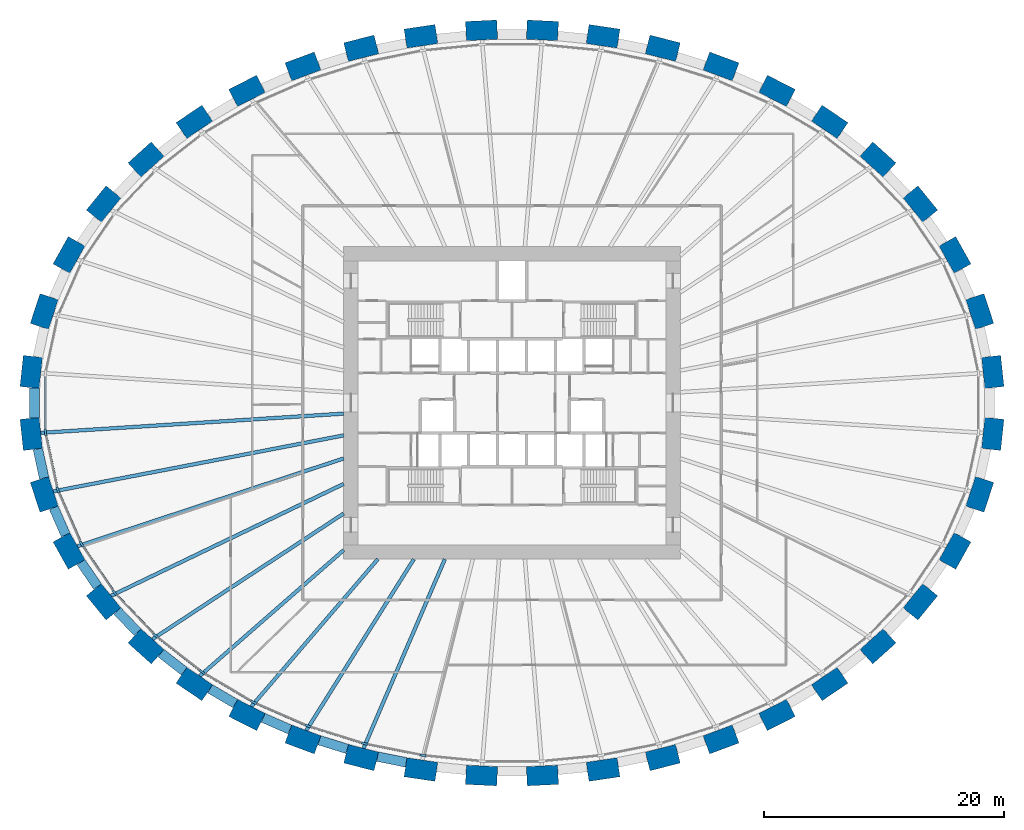
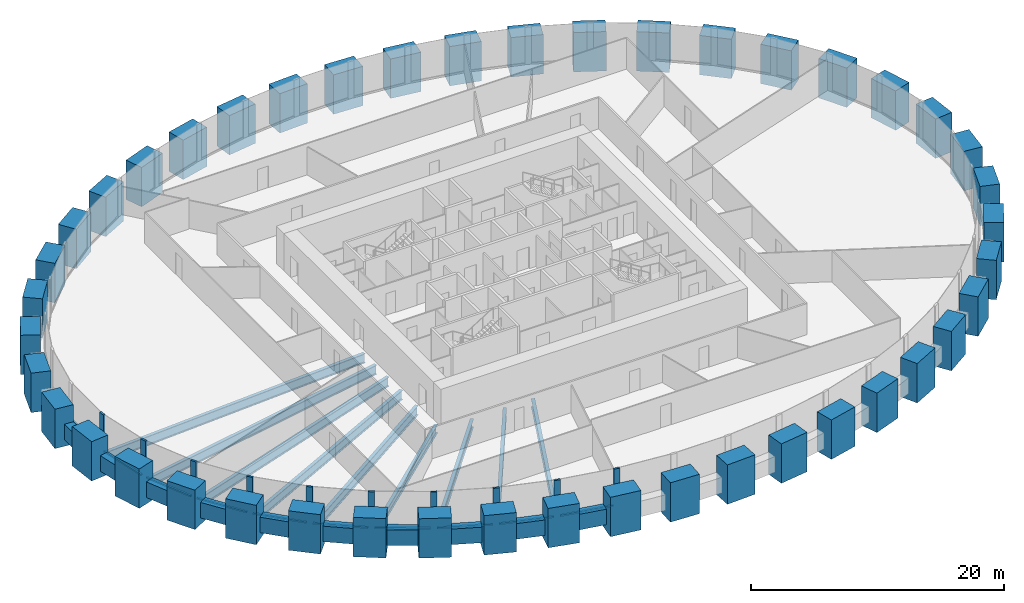
# One storey, part 1 of 11: 44 columns, 20 members, 19 beams, 1 element without a shape of its own.
"""IFC4 building model written with IfcOpenShell, lengths in metres."""

from ifc_helpers import new_model, si_unit, direction, frame, origin, origin_2d, place, context, subcontext, project, spatial, rectangle, i_section, extrude, source, transform, mapped, material, material_profile, profile_set, type_object, element, aggregate, save


model = new_model("IFC4")

# Units and contexts
model_context = context("Model", 3, precision=1e-05, world=origin(), true_north=direction((0.0, 1.0)))
body_context = subcontext(model_context, "Body", "Model", "MODEL_VIEW")
ifc_project = project(units=[si_unit("LENGTHUNIT", "METRE"), si_unit("AREAUNIT", "SQUARE_METRE"), si_unit("VOLUMEUNIT", "CUBIC_METRE"), si_unit("PLANEANGLEUNIT", "RADIAN"), si_unit("MASSUNIT", "GRAM", prefix="KILO")], contexts=[model_context])

# Site, building, storey
site_placement = place(None, origin())
site = spatial("IfcSite", under=ifc_project, at=site_placement, CompositionType="ELEMENT")
building_placement = place(site_placement, origin())
building = spatial("IfcBuilding", under=site, at=building_placement, Name="Embergate Tower", CompositionType="ELEMENT")
storey_placement = place(building_placement, frame((0.0, 0.0, 49.699951171875)))
storey = spatial("IfcBuildingStorey", under=building, at=storey_placement, Name="L08", CompositionType="ELEMENT", Elevation=49.699951171875)

# Columns
ifc_material_1 = material(Name="Concrete C70", Category="concrete")
ifc_material_profile_1 = material_profile(ifc_material_1, rectangle(XDim=1.60009765625, YDim=2.60009765625, at=origin_2d()), Name="RC 1600x2600")
ifc_profile_set_1 = profile_set([ifc_material_profile_1], Name="Concrete C70")
column_type = type_object("IfcColumnType", Name="Ring column RC 1600x2600 C70", PredefinedType="COLUMN", material=ifc_profile_set_1)
shared_shape_1 = source(origin(), body_context, "Body", "SweptSolid", [
    extrude(rectangle(XDim=1.60009765625, YDim=2.60009765625, at=origin_2d()), origin(), (0.0, 0.0, 1.0), 3.800048828125),
])
for number, where, z_axis, x_axis, name in (
    (1, (39.9951171875, 2.575927734375, -1.39990234375), (0.0, 0.0, 1.0), (0.99428589498, 0.106749983816, 0.0), "COL-L08-00"),
    (2, (38.912109375, 7.60693359375, -1.39990234375), (0.0, 0.0, 1.0), (0.950754033697, 0.309946394413, 0.0), "COL-L08-01"),
    (3, (36.85009765625, 12.31103515625, -1.39990234375), (0.0, 0.0, 1.0), (0.873491969053, 0.486838556403, 0.0), "COL-L08-02"),
    (4, (33.968994140625, 16.548095703125, -1.39990234375), (0.0, 0.0, 1.0), (0.775914301615, 0.630838328377, 0.0), "COL-L08-03"),
    (5, (30.444091796875, 20.2451171875, -1.39990234375), (0.0, 0.0, 1.0), (0.669208424634, 0.74307475021, 0.0), "COL-L08-04"),
    (6, (26.426025390625, 23.381103515625, -1.39990234375), (0.0, 0.0, 1.0), (0.560393279442, 0.828226643109, 0.0), "COL-L08-05"),
    (7, (22.0419921875, 25.958984375, -1.39990234375), (0.0, 0.0, 1.0), (0.452994952881, 0.891513080478, 0.0), "COL-L08-06"),
    (8, (17.388916015625, 27.992919921875, -1.39990234375), (0.0, 0.0, 1.0), (0.348343015724, 0.93736713373, 0.0), "COL-L08-07"),
    (9, (12.544921875, 29.501953125, -1.39990234375), (0.0, 0.0, 1.0), (0.246491603437, 0.969144926951, 0.0), "COL-L08-08"),
    (10, (7.574951171875, 30.498046875, -1.39990234375), (0.0, 0.0, 1.0), (0.146929011949, 0.989147039346, 0.0), "COL-L08-09"),
    (11, (2.532958984375, 30.993896484375, -1.39990234375), (0.0, 0.0, 1.0), (0.048814904854, 0.998807841912, 0.0), "COL-L08-10"),
    (12, (-2.532958984375, 30.993896484375, -1.39990234375), (0.0, 0.0, 1.0), (-0.048814904854, 0.998807841912, 0.0), "COL-L08-11"),
    (13, (-7.574951171875, 30.498046875, -1.39990234375), (0.0, 0.0, 1.0), (-0.146929011949, 0.989147039346, 0.0), "COL-L08-12"),
    (14, (-12.544921875, 29.501953125, -1.39990234375), (0.0, 0.0, 1.0), (-0.246491603437, 0.969144926951, 0.0), "COL-L08-13"),
    (15, (-17.388916015625, 27.992919921875, -1.39990234375), (0.0, 0.0, 1.0), (-0.348343015724, 0.93736713373, 0.0), "COL-L08-14"),
    (16, (-22.0419921875, 25.958984375, -1.39990234375), (0.0, 0.0, 1.0), (-0.452994952881, 0.891513080478, 0.0), "COL-L08-15"),
    (17, (-26.426025390625, 23.381103515625, -1.39990234375), (0.0, 0.0, 1.0), (-0.560393279442, 0.828226643109, 0.0), "COL-L08-16"),
    (18, (-30.444091796875, 20.2451171875, -1.39990234375), (0.0, 0.0, 1.0), (-0.669208424634, 0.74307475021, 0.0), "COL-L08-17"),
    (19, (-33.968994140625, 16.548095703125, -1.39990234375), (0.0, 0.0, 1.0), (-0.775914301615, 0.630838328377, 0.0), "COL-L08-18"),
    (20, (-36.85009765625, 12.31103515625, -1.39990234375), (0.0, 0.0, 1.0), (-0.873491969053, 0.486838556403, 0.0), "COL-L08-19"),
    (21, (-38.912109375, 7.60693359375, -1.39990234375), (0.0, 0.0, 1.0), (-0.950754033697, 0.309946394413, 0.0), "COL-L08-20"),
    (22, (-39.9951171875, 2.575927734375, -1.39990234375), (0.0, 0.0, 1.0), (-0.99428589498, 0.106749983816, 0.0), "COL-L08-21"),
    (23, (-39.9951171875, -2.575927734375, -1.39990234375), (0.0, 0.0, 1.0), (-0.99428589498, -0.106749983816, 0.0), "COL-L08-22"),
    (24, (-38.912109375, -7.60693359375, -1.39990234375), (0.0, 0.0, 1.0), (-0.950754033697, -0.309946394413, 0.0), "COL-L08-23"),
    (25, (-36.85009765625, -12.31103515625, -1.39990234375), (0.0, 0.0, 1.0), (-0.873491969053, -0.486838556403, 0.0), "COL-L08-24"),
    (26, (-33.968994140625, -16.548095703125, -1.39990234375), (0.0, 0.0, 1.0), (-0.775914301615, -0.630838328377, 0.0), "COL-L08-25"),
    (27, (-30.444091796875, -20.2451171875, -1.39990234375), (0.0, 0.0, 1.0), (-0.669208424634, -0.74307475021, 0.0), "COL-L08-26"),
    (28, (-26.426025390625, -23.381103515625, -1.39990234375), (0.0, 0.0, 1.0), (-0.560393279442, -0.828226643109, 0.0), "COL-L08-27"),
    (29, (-22.0419921875, -25.958984375, -1.39990234375), (0.0, 0.0, 1.0), (-0.452994952881, -0.891513080478, 0.0), "COL-L08-28"),
    (30, (-17.388916015625, -27.992919921875, -1.39990234375), (0.0, 0.0, 1.0), (-0.348343015724, -0.93736713373, 0.0), "COL-L08-29"),
    (31, (-12.544921875, -29.501953125, -1.39990234375), (0.0, 0.0, 1.0), (-0.246491603437, -0.969144926951, 0.0), "COL-L08-30"),
    (32, (-7.574951171875, -30.498046875, -1.39990234375), (0.0, 0.0, 1.0), (-0.146929011949, -0.989147039346, 0.0), "COL-L08-31"),
    (33, (-2.532958984375, -30.993896484375, -1.39990234375), (0.0, 0.0, 1.0), (-0.048814904854, -0.998807841912, 0.0), "COL-L08-32"),
    (34, (2.532958984375, -30.993896484375, -1.39990234375), (0.0, 0.0, 1.0), (0.048814904854, -0.998807841912, 0.0), "COL-L08-33"),
    (35, (7.574951171875, -30.498046875, -1.39990234375), (0.0, 0.0, 1.0), (0.146929011949, -0.989147039346, 0.0), "COL-L08-34"),
    (36, (12.544921875, -29.501953125, -1.39990234375), (0.0, 0.0, 1.0), (0.246491603437, -0.969144926951, 0.0), "COL-L08-35"),
    (37, (17.388916015625, -27.992919921875, -1.39990234375), (0.0, 0.0, 1.0), (0.348343015724, -0.93736713373, 0.0), "COL-L08-36"),
    (38, (22.0419921875, -25.958984375, -1.39990234375), (0.0, 0.0, 1.0), (0.452994952881, -0.891513080478, 0.0), "COL-L08-37"),
    (39, (26.426025390625, -23.381103515625, -1.39990234375), (0.0, 0.0, 1.0), (0.560393279442, -0.828226643109, 0.0), "COL-L08-38"),
    (40, (30.444091796875, -20.2451171875, -1.39990234375), (0.0, 0.0, 1.0), (0.669208424634, -0.74307475021, 0.0), "COL-L08-39"),
    (41, (33.968994140625, -16.548095703125, -1.39990234375), (0.0, 0.0, 1.0), (0.775914301615, -0.630838328377, 0.0), "COL-L08-40"),
    (42, (36.85009765625, -12.31103515625, -1.39990234375), (0.0, 0.0, 1.0), (0.873491969053, -0.486838556403, 0.0), "COL-L08-41"),
    (43, (38.912109375, -7.60693359375, -1.39990234375), (0.0, 0.0, 1.0), (0.950754033697, -0.309946394413, 0.0), "COL-L08-42"),
    (44, (39.9951171875, -2.575927734375, -1.39990234375), (0.0, 0.0, 1.0), (0.99428589498, -0.106749983816, 0.0), "COL-L08-43"),
):
    element("IfcColumn", number, at=place(storey_placement, frame(where, z_axis=z_axis, x_axis=x_axis)), inside=storey, type_object=column_type, Name=name, PredefinedType="COLUMN", context=body_context, shape_type="MappedRepresentation", body=[
        mapped(shared_shape_1, transform((0.0, 0.0, 0.0))),
    ])

# Beams
ifc_material_profile_2 = material_profile(ifc_material_1, rectangle(XDim=0.800048828125, YDim=1.5, at=origin_2d()), Name="RC 800x1500")
ifc_profile_set_2 = profile_set([ifc_material_profile_2], Name="Concrete C70")
beam_type_1 = type_object("IfcBeamType", Name="Spandrel beam RC 800x1500 C70", PredefinedType="BEAM", material=ifc_profile_set_2)
shared_shape_2 = source(origin(), body_context, "Body", "SweptSolid", [
    extrude(rectangle(XDim=0.800048828125, YDim=1.5, at=origin_2d()), origin(), (0.0, 0.0, 1.0), 2.431396484375),
])
beam_1_placement = place(storey_placement, frame((-11.18505859375, -29.428955078125, 0.0), z_axis=(0.980484010726, -0.196598842089, 0.0), x_axis=(0.196598842089, 0.980484010726, 0.0)))
element("IfcBeam", 45, at=beam_1_placement, inside=storey, type_object=beam_type_1, Name="SPN-L08-30", PredefinedType="BEAM", context=body_context, shape_type="MappedRepresentation", body=[
    mapped(shared_shape_2, transform((0.0, 0.0, 0.0))),
])
shared_shape_3 = source(origin(), body_context, "Body", "SweptSolid", [
    extrude(rectangle(XDim=0.800048828125, YDim=1.5, at=origin_2d()), origin(), (0.0, 0.0, 1.0), 2.43408203125),
])
beam_2_placement = place(storey_placement, frame((-16.028076171875, -28.06201171875, 0.0), z_axis=(0.954756195808, -0.297389654436, 0.0), x_axis=(0.297389654436, 0.954756195808, 0.0)))
element("IfcBeam", 46, at=beam_2_placement, inside=storey, type_object=beam_type_1, Name="SPN-L08-29", PredefinedType="BEAM", context=body_context, shape_type="MappedRepresentation", body=[
    mapped(shared_shape_3, transform((0.0, 0.0, 0.0))),
])
shared_shape_4 = source(origin(), body_context, "Body", "SweptSolid", [
    extrude(rectangle(XDim=0.800048828125, YDim=1.5, at=origin_2d()), origin(), (0.0, 0.0, 1.0), 2.47412109375),
])
beam_3_placement = place(storey_placement, frame((-39.444091796875, -3.823974609375, 0.0), z_axis=(0.210175960292, -0.977663574915, 0.0), x_axis=(0.977663574915, 0.210175960292, 0.0)))
element("IfcBeam", 47, at=beam_3_placement, inside=storey, type_object=beam_type_1, Name="SPN-L08-22", PredefinedType="BEAM", context=body_context, shape_type="MappedRepresentation", body=[
    mapped(shared_shape_4, transform((0.0, 0.0, 0.0))),
])
shared_shape_5 = source(origin(), body_context, "Body", "SweptSolid", [
    extrude(rectangle(XDim=0.800048828125, YDim=1.5, at=origin_2d()), origin(), (0.0, 0.0, 1.0), 2.470703125),
])
beam_4_placement = place(storey_placement, frame((-38.1240234375, -8.717041015625, 0.0), z_axis=(0.401466670854, -0.915873633311, 0.0), x_axis=(0.915873633311, 0.401466670854, 0.0)))
element("IfcBeam", 48, at=beam_4_placement, inside=storey, type_object=beam_type_1, Name="SPN-L08-23", PredefinedType="BEAM", context=body_context, shape_type="MappedRepresentation", body=[
    mapped(shared_shape_5, transform((0.0, 0.0, 0.0))),
])
shared_shape_6 = source(origin(), body_context, "Body", "SweptSolid", [
    extrude(rectangle(XDim=0.800048828125, YDim=1.5, at=origin_2d()), origin(), (0.0, 0.0, 1.0), 2.46240234375),
])
beam_5_placement = place(storey_placement, frame((-35.85595703125, -13.2451171875, 0.0), z_axis=(0.562478152622, -0.826812147844, 0.0), x_axis=(0.826812147844, 0.562478152622, 0.0)))
element("IfcBeam", 49, at=beam_5_placement, inside=storey, type_object=beam_type_1, Name="SPN-L08-24", PredefinedType="BEAM", context=body_context, shape_type="MappedRepresentation", body=[
    mapped(shared_shape_6, transform((0.0, 0.0, 0.0))),
])
shared_shape_7 = source(origin(), body_context, "Body", "SweptSolid", [
    extrude(rectangle(XDim=0.800048828125, YDim=1.5, at=origin_2d()), origin(), (0.0, 0.0, 1.0), 2.454345703125),
])
beam_6_placement = place(storey_placement, frame((-32.837890625, -17.303955078125, 0.0), z_axis=(0.690146821467, -0.723669375349, 0.0), x_axis=(0.723669375349, 0.690146821467, 0.0)))
element("IfcBeam", 50, at=beam_6_placement, inside=storey, type_object=beam_type_1, Name="SPN-L08-25", PredefinedType="BEAM", context=body_context, shape_type="MappedRepresentation", body=[
    mapped(shared_shape_7, transform((0.0, 0.0, 0.0))),
])
shared_shape_8 = source(origin(), body_context, "Body", "SweptSolid", [
    extrude(rectangle(XDim=0.800048828125, YDim=1.5, at=origin_2d()), origin(), (0.0, 0.0, 1.0), 2.446533203125),
])
beam_7_placement = place(storey_placement, frame((-29.202880859375, -20.81005859375, 0.0), z_axis=(0.788443262058, -0.615107488587, 0.0), x_axis=(0.615107488587, 0.788443262058, 0.0)))
element("IfcBeam", 51, at=beam_7_placement, inside=storey, type_object=beam_type_1, Name="SPN-L08-26", PredefinedType="BEAM", context=body_context, shape_type="MappedRepresentation", body=[
    mapped(shared_shape_8, transform((0.0, 0.0, 0.0))),
])
shared_shape_9 = source(origin(), body_context, "Body", "SweptSolid", [
    extrude(rectangle(XDim=0.800048828125, YDim=1.5, at=origin_2d()), origin(), (0.0, 0.0, 1.0), 2.440673828125),
])
beam_8_placement = place(storey_placement, frame((-25.1240234375, -23.777099609375, 0.0), z_axis=(0.86208332714, -0.506766550857, 0.0), x_axis=(0.506766550857, 0.86208332714, 0.0)))
element("IfcBeam", 52, at=beam_8_placement, inside=storey, type_object=beam_type_1, Name="SPN-L08-27", PredefinedType="BEAM", context=body_context, shape_type="MappedRepresentation", body=[
    mapped(shared_shape_9, transform((0.0, 0.0, 0.0))),
])
shared_shape_10 = source(origin(), body_context, "Body", "SweptSolid", [
    extrude(rectangle(XDim=0.800048828125, YDim=1.5, at=origin_2d()), origin(), (0.0, 0.0, 1.0), 2.437255859375),
])
beam_9_placement = place(storey_placement, frame((-20.7041015625, -26.196044921875, 0.0), z_axis=(0.916297523331, -0.400498250604, 0.0), x_axis=(0.400498250604, 0.916297523331, 0.0)))
element("IfcBeam", 53, at=beam_9_placement, inside=storey, type_object=beam_type_1, Name="SPN-L08-28", PredefinedType="BEAM", context=body_context, shape_type="MappedRepresentation", body=[
    mapped(shared_shape_10, transform((0.0, 0.0, 0.0))),
])
shared_shape_11 = source(origin(), body_context, "Body", "SweptSolid", [
    extrude(rectangle(XDim=0.800048828125, YDim=1.5, at=origin_2d()), origin(), (0.0, 0.0, 1.0), 2.47802734375),
])
beam_10_placement = place(storey_placement, frame((-39.719970703125, 1.239013671875, 0.0), z_axis=(0.0, -1.0, 0.0), x_axis=(1.0, 0.0, 0.0)))
element("IfcBeam", 54, at=beam_10_placement, inside=storey, type_object=beam_type_1, Name="SPN-L08-21", PredefinedType="BEAM", context=body_context, shape_type="MappedRepresentation", body=[
    mapped(shared_shape_11, transform((0.0, 0.0, 0.0))),
])
ifc_material_2 = material(Name="Steel Q355B", Category="steel")
ifc_material_profile_3 = material_profile(ifc_material_2, i_section(OverallWidth=0.300048828125, OverallDepth=0.89990234375, WebThickness=0.01611328125, FlangeThickness=0.028076171875, FilletRadius=0.028076171875, at=origin_2d()), Name="HN 900x300x16x28")
ifc_profile_set_3 = profile_set([ifc_material_profile_3], Name="Steel Q355 grade B")
beam_type_2 = type_object("IfcBeamType", Name="Radial girder HN 900x300x16x28", PredefinedType="BEAM", material=ifc_profile_set_3)
shared_shape_12 = source(origin(), body_context, "Body", "SweptSolid", [
    extrude(i_section(OverallWidth=0.300048828125, OverallDepth=0.89990234375, WebThickness=0.01611328125, FlangeThickness=0.028076171875, FilletRadius=0.028076171875, at=origin_2d()), origin(), (0.0, 0.0, 1.0), 25.250732421875),
])
beam_11_placement = place(storey_placement, frame((-39.199951171875, -2.490966796875, -0.64990234375), z_axis=(0.997987753724, 0.063406966633, 0.0), x_axis=(-0.063406966633, 0.997987753724, 0.0)))
element("IfcBeam", 55, at=beam_11_placement, inside=storey, type_object=beam_type_2, Name="GIR-L08-22", PredefinedType="BEAM", context=body_context, shape_type="MappedRepresentation", body=[
    mapped(shared_shape_12, transform((0.0, 0.0, 0.0))),
])
shared_shape_13 = source(origin(), body_context, "Body", "SweptSolid", [
    extrude(i_section(OverallWidth=0.300048828125, OverallDepth=0.89990234375, WebThickness=0.01611328125, FlangeThickness=0.028076171875, FilletRadius=0.028076171875, at=origin_2d()), origin(), (0.0, 0.0, 1.0), 24.59619140625),
])
beam_12_placement = place(storey_placement, frame((-38.15087890625, -7.35888671875, -0.64990234375), z_axis=(0.981896685323, 0.18941726255, 0.0), x_axis=(-0.18941726255, 0.981896685323, 0.0)))
element("IfcBeam", 56, at=beam_12_placement, inside=storey, type_object=beam_type_2, Name="GIR-L08-23", PredefinedType="BEAM", context=body_context, shape_type="MappedRepresentation", body=[
    mapped(shared_shape_13, transform((0.0, 0.0, 0.0))),
])
shared_shape_14 = source(origin(), body_context, "Body", "SweptSolid", [
    extrude(i_section(OverallWidth=0.300048828125, OverallDepth=0.89990234375, WebThickness=0.01611328125, FlangeThickness=0.028076171875, FilletRadius=0.028076171875, at=origin_2d()), origin(), (0.0, 0.0, 1.0), 23.324462890625),
])
beam_13_placement = place(storey_placement, frame((-36.15087890625, -11.922119140625, -0.64990234375), z_axis=(0.949687504939, 0.313199046873, 0.0), x_axis=(-0.313199046873, 0.949687504939, 0.0)))
element("IfcBeam", 57, at=beam_13_placement, inside=storey, type_object=beam_type_2, Name="GIR-L08-24", PredefinedType="BEAM", context=body_context, shape_type="MappedRepresentation", body=[
    mapped(shared_shape_14, transform((0.0, 0.0, 0.0))),
])
shared_shape_15 = source(origin(), body_context, "Body", "SweptSolid", [
    extrude(i_section(OverallWidth=0.300048828125, OverallDepth=0.89990234375, WebThickness=0.01611328125, FlangeThickness=0.028076171875, FilletRadius=0.028076171875, at=origin_2d()), origin(), (0.0, 0.0, 1.0), 21.470458984375),
])
beam_14_placement = place(storey_placement, frame((-33.347900390625, -16.04296875, -0.64990234375), z_axis=(0.901143518966, 0.43352088557, 0.0), x_axis=(-0.43352088557, 0.901143518966, 0.0)))
element("IfcBeam", 58, at=beam_14_placement, inside=storey, type_object=beam_type_2, Name="GIR-L08-25", PredefinedType="BEAM", context=body_context, shape_type="MappedRepresentation", body=[
    mapped(shared_shape_15, transform((0.0, 0.0, 0.0))),
])
shared_shape_16 = source(origin(), body_context, "Body", "SweptSolid", [
    extrude(i_section(OverallWidth=0.300048828125, OverallDepth=0.89990234375, WebThickness=0.01611328125, FlangeThickness=0.028076171875, FilletRadius=0.028076171875, at=origin_2d()), origin(), (0.0, 0.0, 1.0), 19.03564453125),
])
beam_15_placement = place(storey_placement, frame((-29.908935546875, -19.65087890625, -0.64990234375), z_axis=(0.835743149678, 0.549120558499, 0.0), x_axis=(-0.549120558499, 0.835743149678, 0.0)))
element("IfcBeam", 59, at=beam_15_placement, inside=storey, type_object=beam_type_2, Name="GIR-L08-26", PredefinedType="BEAM", context=body_context, shape_type="MappedRepresentation", body=[
    mapped(shared_shape_16, transform((0.0, 0.0, 0.0))),
])
ifc_material_profile_4 = material_profile(ifc_material_2, i_section(OverallWidth=0.300048828125, OverallDepth=0.800048828125, WebThickness=0.013916015625, FlangeThickness=0.02587890625, FilletRadius=0.028076171875, at=origin_2d()), Name="HN 800x300x14x26")
ifc_profile_set_4 = profile_set([ifc_material_profile_4], Name="Steel Q355 grade B")
beam_type_3 = type_object("IfcBeamType", Name="Radial girder HN 800x300x14x26", PredefinedType="BEAM", material=ifc_profile_set_4)
shared_shape_17 = source(origin(), body_context, "Body", "SweptSolid", [
    extrude(i_section(OverallWidth=0.300048828125, OverallDepth=0.800048828125, WebThickness=0.013916015625, FlangeThickness=0.02587890625, FilletRadius=0.028076171875, at=origin_2d()), origin(), (0.0, 0.0, 1.0), 15.91162109375),
])
beam_16_placement = place(storey_placement, frame((-25.97802734375, -22.718017578125, -0.599853515625), z_axis=(0.752783862885, 0.658267769057, 0.0), x_axis=(-0.658267769057, 0.752783862885, 0.0)))
element("IfcBeam", 60, at=beam_16_placement, inside=storey, type_object=beam_type_3, Name="GIR-L08-27", PredefinedType="BEAM", context=body_context, shape_type="MappedRepresentation", body=[
    mapped(shared_shape_17, transform((0.0, 0.0, 0.0))),
])
shared_shape_18 = source(origin(), body_context, "Body", "SweptSolid", [
    extrude(i_section(OverallWidth=0.300048828125, OverallDepth=0.800048828125, WebThickness=0.013916015625, FlangeThickness=0.02587890625, FilletRadius=0.028076171875, at=origin_2d()), origin(), (0.0, 0.0, 1.0), 16.1416015625),
])
beam_17_placement = place(storey_placement, frame((-21.679931640625, -25.24609375, -0.599853515625), z_axis=(0.651477424903, 0.758668020178, 0.0), x_axis=(-0.758668020178, 0.651477424903, 0.0)))
element("IfcBeam", 61, at=beam_17_placement, inside=storey, type_object=beam_type_3, Name="GIR-L08-28", PredefinedType="BEAM", context=body_context, shape_type="MappedRepresentation", body=[
    mapped(shared_shape_18, transform((0.0, 0.0, 0.0))),
])
shared_shape_19 = source(origin(), body_context, "Body", "SweptSolid", [
    extrude(i_section(OverallWidth=0.300048828125, OverallDepth=0.800048828125, WebThickness=0.013916015625, FlangeThickness=0.02587890625, FilletRadius=0.028076171875, at=origin_2d()), origin(), (0.0, 0.0, 1.0), 16.81884765625),
])
beam_18_placement = place(storey_placement, frame((-17.110107421875, -27.242919921875, -0.599853515625), z_axis=(0.531846576707, 0.846840728145, 0.0), x_axis=(-0.846840728145, 0.531846576707, 0.0)))
element("IfcBeam", 62, at=beam_18_placement, inside=storey, type_object=beam_type_3, Name="GIR-L08-29", PredefinedType="BEAM", context=body_context, shape_type="MappedRepresentation", body=[
    mapped(shared_shape_19, transform((0.0, 0.0, 0.0))),
])
shared_shape_20 = source(origin(), body_context, "Body", "SweptSolid", [
    extrude(i_section(OverallWidth=0.300048828125, OverallDepth=0.800048828125, WebThickness=0.013916015625, FlangeThickness=0.02587890625, FilletRadius=0.028076171875, at=origin_2d()), origin(), (0.0, 0.0, 1.0), 17.118408203125),
])
beam_19_placement = place(storey_placement, frame((-12.347900390625, -28.72705078125, -0.599853515625), z_axis=(0.39489847585, 0.918724764971, 0.0), x_axis=(-0.918724764971, 0.39489847585, 0.0)))
element("IfcBeam", 63, at=beam_19_placement, inside=storey, type_object=beam_type_3, Name="GIR-L08-30", PredefinedType="BEAM", context=body_context, shape_type="MappedRepresentation", body=[
    mapped(shared_shape_20, transform((0.0, 0.0, 0.0))),
])

# Curtain wall, members
ifc_material_3 = material(Name="Aluminium and glass", Category="aluminium")
curtain_wall_type = type_object("IfcCurtainWallType", Name="Recessed office glazing", PredefinedType="NOTDEFINED", material=ifc_material_3)
curtain_wall_placement = place(storey_placement, origin())
curtain_wall = element("IfcCurtainWall", 64, at=curtain_wall_placement, inside=storey, type_object=curtain_wall_type, Name="Recessed office glazing ring", ObjectType="RECESSED OFFICE GLAZING", PredefinedType="USERDEFINED")
ifc_material_4 = material(Name="Aluminium, thermally broken", Category="aluminium")
ifc_material_profile_5 = material_profile(ifc_material_4, rectangle(XDim=0.179931640625, YDim=0.14990234375, at=origin_2d()), Name="AL 150x180")
ifc_profile_set_5 = profile_set([ifc_material_profile_5], Name="Aluminium, thermally broken")
member_type_1 = type_object("IfcMemberType", Name="Office sill transom", PredefinedType="USERDEFINED", material=ifc_profile_set_5)
shared_shape_21 = source(origin(), body_context, "Body", "SweptSolid", [
    extrude(rectangle(XDim=0.179931640625, YDim=0.14990234375, at=origin_2d()), origin(), (0.0, 0.0, 1.0), 4.379638671875),
])
member_1_placement = place(storey_placement, frame((-38.757080078125, -2.70263671875, 0.074951171875), z_axis=(0.210374128921, -0.977620952047, 0.0), x_axis=(0.977620952047, 0.210374128921, 0.0)))
member_1 = element("IfcMember", 65, at=member_1_placement, type_object=member_type_1, Name="CW transom 23.1", ObjectType="TRANSOM", PredefinedType="USERDEFINED", context=body_context, shape_type="MappedRepresentation", body=[
    mapped(shared_shape_21, transform((0.0, 0.0, 0.0))),
])
shared_shape_22 = source(origin(), body_context, "Body", "SweptSolid", [
    extrude(rectangle(XDim=0.179931640625, YDim=0.14990234375, at=origin_2d()), origin(), (0.0, 0.0, 1.0), 4.38671875),
])
member_2_placement = place(storey_placement, frame((-37.676513671875, -7.4765625, 0.074951171875), z_axis=(0.401656581877, -0.915790363694, 0.0), x_axis=(0.915790363694, 0.401656581877, 0.0)))
member_2 = element("IfcMember", 66, at=member_2_placement, type_object=member_type_1, Name="CW transom 24.1", ObjectType="TRANSOM", PredefinedType="USERDEFINED", context=body_context, shape_type="MappedRepresentation", body=[
    mapped(shared_shape_22, transform((0.0, 0.0, 0.0))),
])
shared_shape_23 = source(origin(), body_context, "Body", "SweptSolid", [
    extrude(rectangle(XDim=0.179931640625, YDim=0.14990234375, at=origin_2d()), origin(), (0.0, 0.0, 1.0), 4.395751953125),
])
member_3_placement = place(storey_placement, frame((-35.663818359375, -11.947021484375, 0.074951171875), z_axis=(0.562354076768, -0.826896542708, 0.0), x_axis=(0.826896542708, 0.562354076768, 0.0)))
member_3 = element("IfcMember", 67, at=member_3_placement, type_object=member_type_1, Name="CW transom 25.1", ObjectType="TRANSOM", PredefinedType="USERDEFINED", context=body_context, shape_type="MappedRepresentation", body=[
    mapped(shared_shape_23, transform((0.0, 0.0, 0.0))),
])
shared_shape_24 = source(origin(), body_context, "Body", "SweptSolid", [
    extrude(rectangle(XDim=0.179931640625, YDim=0.14990234375, at=origin_2d()), origin(), (0.0, 0.0, 1.0), 4.404296875),
])
member_4_placement = place(storey_placement, frame((-32.866455078125, -15.985107421875, 0.074951171875), z_axis=(0.690139479121, -0.723676377504, 0.0), x_axis=(0.723676377504, 0.690139479121, 0.0)))
member_4 = element("IfcMember", 68, at=member_4_placement, type_object=member_type_1, Name="CW transom 26.1", ObjectType="TRANSOM", PredefinedType="USERDEFINED", context=body_context, shape_type="MappedRepresentation", body=[
    mapped(shared_shape_24, transform((0.0, 0.0, 0.0))),
])
shared_shape_25 = source(origin(), body_context, "Body", "SweptSolid", [
    extrude(rectangle(XDim=0.179931640625, YDim=0.14990234375, at=origin_2d()), origin(), (0.0, 0.0, 1.0), 4.412109375),
])
member_5_placement = place(storey_placement, frame((-29.4423828125, -19.5205078125, 0.074951171875), z_axis=(0.788311201142, -0.615276726485, 0.0), x_axis=(0.615276726485, 0.788311201142, 0.0)))
member_5 = element("IfcMember", 69, at=member_5_placement, type_object=member_type_1, Name="CW transom 27.1", ObjectType="TRANSOM", PredefinedType="USERDEFINED", context=body_context, shape_type="MappedRepresentation", body=[
    mapped(shared_shape_25, transform((0.0, 0.0, 0.0))),
])
shared_shape_26 = source(origin(), body_context, "Body", "SweptSolid", [
    extrude(rectangle(XDim=0.179931640625, YDim=0.14990234375, at=origin_2d()), origin(), (0.0, 0.0, 1.0), 4.417724609375),
])
member_6_placement = place(storey_placement, frame((-25.53515625, -22.52685546875, 0.074951171875), z_axis=(0.862052105816, -0.506819659109, 0.0), x_axis=(0.506819659109, 0.862052105816, 0.0)))
member_6 = element("IfcMember", 70, at=member_6_placement, type_object=member_type_1, Name="CW transom 28.1", ObjectType="TRANSOM", PredefinedType="USERDEFINED", context=body_context, shape_type="MappedRepresentation", body=[
    mapped(shared_shape_26, transform((0.0, 0.0, 0.0))),
])
shared_shape_27 = source(origin(), body_context, "Body", "SweptSolid", [
    extrude(rectangle(XDim=0.179931640625, YDim=0.14990234375, at=origin_2d()), origin(), (0.0, 0.0, 1.0), 4.422607421875),
])
member_7_placement = place(storey_placement, frame((-21.264404296875, -25.001708984375, 0.074951171875), z_axis=(0.916221938908, -0.400671135301, 0.0), x_axis=(0.400671135301, 0.916221938908, 0.0)))
member_7 = element("IfcMember", 71, at=member_7_placement, type_object=member_type_1, Name="CW transom 29.1", ObjectType="TRANSOM", PredefinedType="USERDEFINED", context=body_context, shape_type="MappedRepresentation", body=[
    mapped(shared_shape_27, transform((0.0, 0.0, 0.0))),
])
shared_shape_28 = source(origin(), body_context, "Body", "SweptSolid", [
    extrude(rectangle(XDim=0.179931640625, YDim=0.14990234375, at=origin_2d()), origin(), (0.0, 0.0, 1.0), 4.42578125),
])
member_8_placement = place(storey_placement, frame((-16.725830078125, -26.955078125, 0.074951171875), z_axis=(0.954773981252, -0.297332549049, 0.0), x_axis=(0.297332549049, 0.954773981252, 0.0)))
member_8 = element("IfcMember", 72, at=member_8_placement, type_object=member_type_1, Name="CW transom 30.1", ObjectType="TRANSOM", PredefinedType="USERDEFINED", context=body_context, shape_type="MappedRepresentation", body=[
    mapped(shared_shape_28, transform((0.0, 0.0, 0.0))),
])
shared_shape_29 = source(origin(), body_context, "Body", "SweptSolid", [
    extrude(rectangle(XDim=0.179931640625, YDim=0.14990234375, at=origin_2d()), origin(), (0.0, 0.0, 1.0), 4.427978515625),
])
member_9_placement = place(storey_placement, frame((-11.9970703125, -28.3994140625, 0.074951171875), z_axis=(0.980470250175, -0.196667456693, 0.0), x_axis=(0.196667456693, 0.980470250175, 0.0)))
member_9 = element("IfcMember", 73, at=member_9_placement, type_object=member_type_1, Name="CW transom 31.1", ObjectType="TRANSOM", PredefinedType="USERDEFINED", context=body_context, shape_type="MappedRepresentation", body=[
    mapped(shared_shape_29, transform((0.0, 0.0, 0.0))),
])
shared_shape_30 = source(origin(), body_context, "Body", "SweptSolid", [
    extrude(rectangle(XDim=0.179931640625, YDim=0.14990234375, at=origin_2d()), origin(), (0.0, 0.0, 1.0), 4.376953125),
])
member_10_placement = place(storey_placement, frame((-38.811767578125, 2.1884765625, 0.074951171875), z_axis=(0.0, -1.0, 0.0), x_axis=(1.0, 0.0, 0.0)))
member_10 = element("IfcMember", 74, at=member_10_placement, type_object=member_type_1, Name="CW transom 22.1", ObjectType="TRANSOM", PredefinedType="USERDEFINED", context=body_context, shape_type="MappedRepresentation", body=[
    mapped(shared_shape_30, transform((0.0, 0.0, 0.0))),
])
ifc_material_profile_6 = material_profile(ifc_material_4, rectangle(XDim=0.179931640625, YDim=0.52001953125, at=origin_2d()), Name="AL 520x180")
ifc_profile_set_6 = profile_set([ifc_material_profile_6], Name="Aluminium, thermally broken")
member_type_2 = type_object("IfcMemberType", Name="Office mullion", PredefinedType="MULLION", material=ifc_profile_set_6)
shared_shape_31 = source(origin(), body_context, "Body", "SweptSolid", [
    extrude(rectangle(XDim=0.179931640625, YDim=0.52001953125, at=origin_2d()), origin(), (0.0, 0.0, 1.0), 3.60009765625),
])
member_11_placement = place(storey_placement, frame((-38.811767578125, -2.448486328125, 0.0), z_axis=(0.0, 0.0, 1.0), x_axis=(0.994385139431, 0.105821521816, 0.0)))
member_11 = element("IfcMember", 75, at=member_11_placement, type_object=member_type_2, Name="CW mullion 23", PredefinedType="MULLION", context=body_context, shape_type="MappedRepresentation", body=[
    mapped(shared_shape_31, transform((0.0, 0.0, 0.0))),
])
member_12_placement = place(storey_placement, frame((-37.781005859375, -7.238525390625, 0.0), z_axis=(0.0, 0.0, 1.0), x_axis=(0.95149940886, 0.307650572791, 0.0)))
member_12 = element("IfcMember", 76, at=member_12_placement, type_object=member_type_2, Name="CW mullion 24", PredefinedType="MULLION", context=body_context, shape_type="MappedRepresentation", body=[
    mapped(shared_shape_31, transform((0.0, 0.0, 0.0))),
])
member_13_placement = place(storey_placement, frame((-35.81005859375, -11.732177734375, 0.0), z_axis=(0.0, 0.0, 1.0), x_axis=(0.875004430664, 0.484114910242, 0.0)))
member_13 = element("IfcMember", 77, at=member_13_placement, type_object=member_type_2, Name="CW mullion 25", PredefinedType="MULLION", context=body_context, shape_type="MappedRepresentation", body=[
    mapped(shared_shape_31, transform((0.0, 0.0, 0.0))),
])
member_14_placement = place(storey_placement, frame((-33.0458984375, -15.796875, 0.0), z_axis=(0.0, 0.0, 1.0), x_axis=(0.777875854755, 0.628417977615, 0.0)))
member_14 = element("IfcMember", 78, at=member_14_placement, type_object=member_type_2, Name="CW mullion 26", PredefinedType="MULLION", context=body_context, shape_type="MappedRepresentation", body=[
    mapped(shared_shape_31, transform((0.0, 0.0, 0.0))),
])
member_15_placement = place(storey_placement, frame((-29.647216796875, -19.360595703125, 0.0), z_axis=(0.0, 0.0, 1.0), x_axis=(0.671229121411, 0.741249935292, 0.0)))
member_15 = element("IfcMember", 79, at=member_15_placement, type_object=member_type_2, Name="CW mullion 27", PredefinedType="MULLION", context=body_context, shape_type="MappedRepresentation", body=[
    mapped(shared_shape_31, transform((0.0, 0.0, 0.0))),
])
member_16_placement = place(storey_placement, frame((-25.759521484375, -22.39501953125, 0.0), z_axis=(0.0, 0.0, 1.0), x_axis=(0.562217618544, 0.826989328467, 0.0)))
member_16 = element("IfcMember", 80, at=member_16_placement, type_object=member_type_2, Name="CW mullion 28", PredefinedType="MULLION", context=body_context, shape_type="MappedRepresentation", body=[
    mapped(shared_shape_31, transform((0.0, 0.0, 0.0))),
])
member_17_placement = place(storey_placement, frame((-21.502685546875, -24.897705078125, 0.0), z_axis=(0.0, 0.0, 1.0), x_axis=(0.454511380526, 0.890740930334, 0.0)))
member_17 = element("IfcMember", 81, at=member_17_placement, type_object=member_type_2, Name="CW mullion 29", PredefinedType="MULLION", context=body_context, shape_type="MappedRepresentation", body=[
    mapped(shared_shape_31, transform((0.0, 0.0, 0.0))),
])
member_18_placement = place(storey_placement, frame((-16.97412109375, -26.877685546875, 0.0), z_axis=(0.0, 0.0, 1.0), x_axis=(0.349502682851, 0.936935363128, 0.0)))
member_18 = element("IfcMember", 82, at=member_18_placement, type_object=member_type_2, Name="CW mullion 30", PredefinedType="MULLION", context=body_context, shape_type="MappedRepresentation", body=[
    mapped(shared_shape_31, transform((0.0, 0.0, 0.0))),
])
member_19_placement = place(storey_placement, frame((-12.251953125, -28.348388671875, 0.0), z_axis=(0.0, 0.0, 1.0), x_axis=(0.24731188137, 0.968935928394, 0.0)))
member_19 = element("IfcMember", 83, at=member_19_placement, type_object=member_type_2, Name="CW mullion 31", PredefinedType="MULLION", context=body_context, shape_type="MappedRepresentation", body=[
    mapped(shared_shape_31, transform((0.0, 0.0, 0.0))),
])
member_20_placement = place(storey_placement, frame((-7.400390625, -29.3212890625, 0.0), z_axis=(0.0, 0.0, 1.0), x_axis=(0.147412382818, 0.989075118174, 0.0)))
member_20 = element("IfcMember", 84, at=member_20_placement, type_object=member_type_2, Name="CW mullion 32", PredefinedType="MULLION", context=body_context, shape_type="MappedRepresentation", body=[
    mapped(shared_shape_31, transform((0.0, 0.0, 0.0))),
])
aggregate(curtain_wall, [member_11, member_12, member_13, member_14, member_15, member_16, member_17, member_18, member_19, member_20, member_10, member_1, member_2, member_3, member_4, member_5, member_6, member_7, member_8, member_9])

save(model, "model.ifc")
